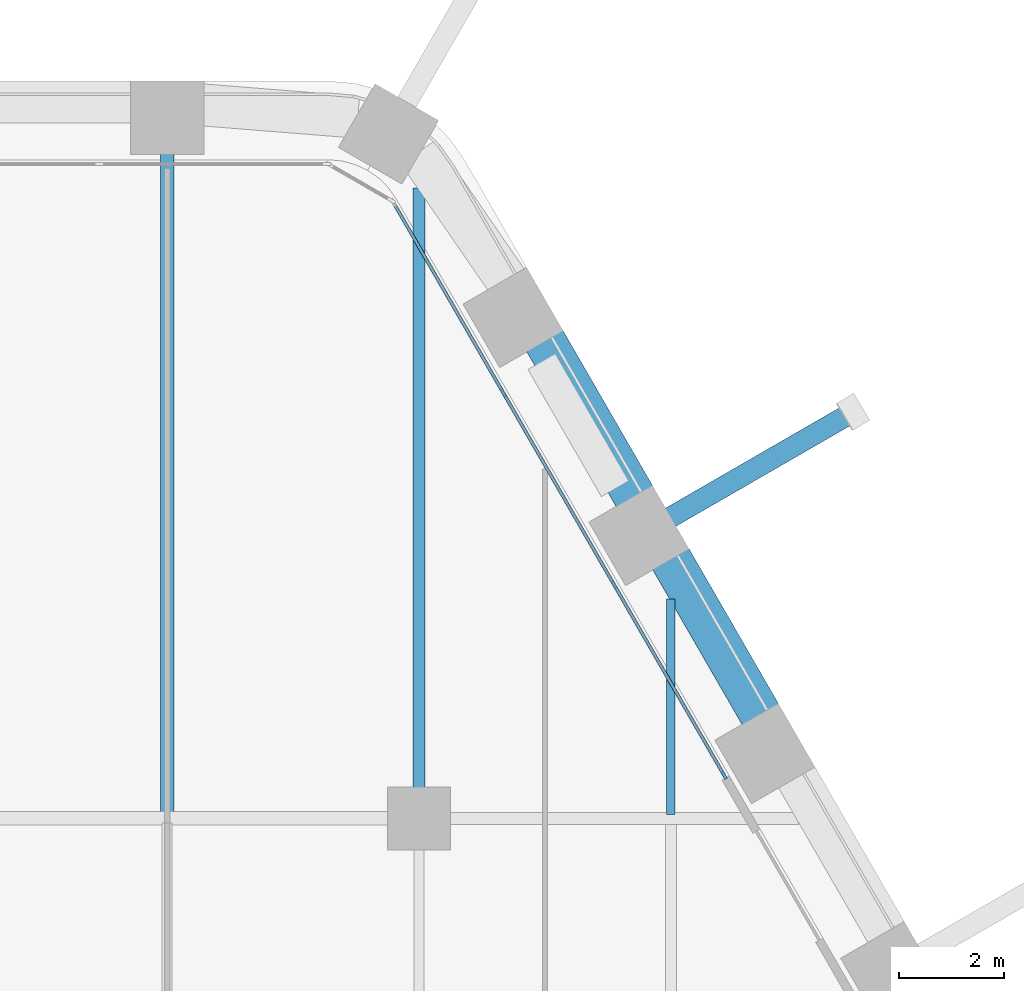
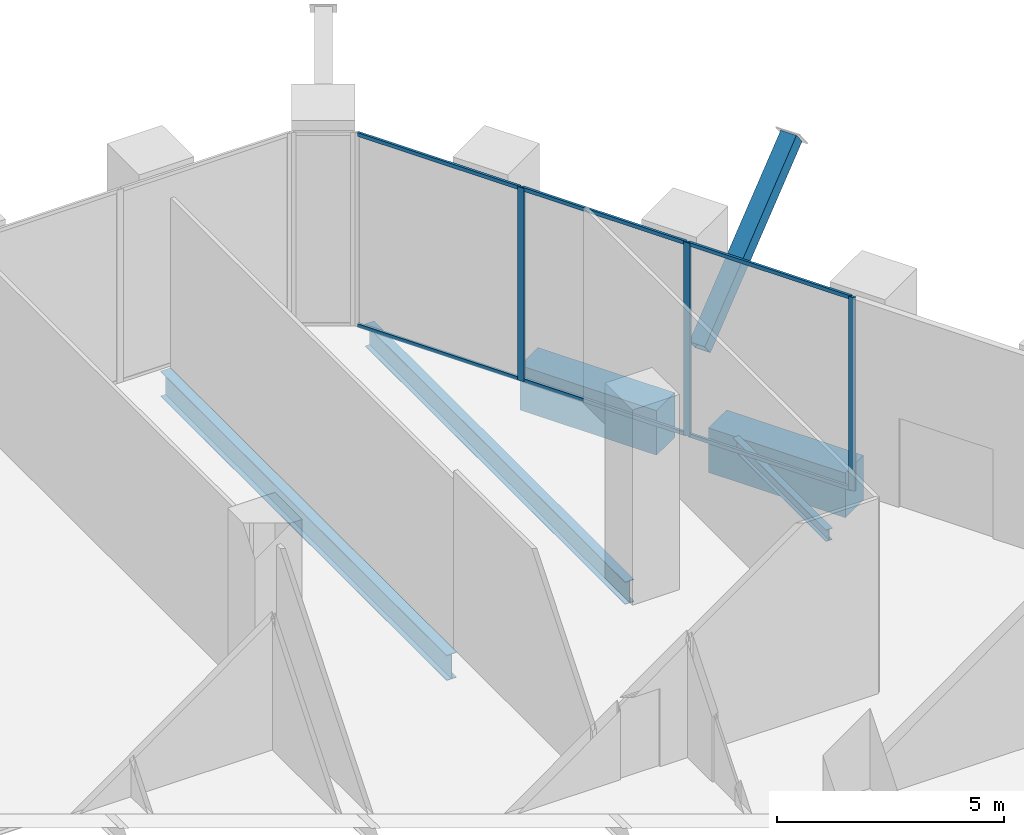
# One storey, part 10 of 29: 10 members, 5 beams, 1 element without a shape of its own.
"""IFC4 building model written with IfcOpenShell, lengths in metres."""

import ifcopenshell
import ifcopenshell.guid

model = None  # the IFC model being written
_history = None  # IfcOwnerHistory: only IFC2X3 demands one
_inside = {}  # id of a spatial element -> (the spatial element, [elements in it])
_under = {}  # id of a project, library or spatial element -> (it, [spatial elements below it])
_declared = {}  # id of a project -> (the project, [libraries it declares])
_typed = {}  # id of a type object -> (the type object, [elements of that type])
_made_of = {}  # id of a material, layer set ... -> (it, [elements and type objects made of it])


def new_model(schema):
    """Start an empty IFC model of exactly this schema.

    Asked for "IFC4X3", IfcOpenShell would pick the latest addendum, in which some entities
    have other attributes; the version numbers below select the first issue.
    IFC2X3 requires an IfcOwnerHistory on every rooted entity: one is made here for all.
    """
    global model, _history
    if schema == "IFC4X3":
        model = ifcopenshell.file(schema_version=(4, 3, 0, 0))
    else:
        model = ifcopenshell.file(schema=schema)
    _inside.clear()
    _under.clear()
    _declared.clear()
    _typed.clear()
    _made_of.clear()
    _history = None
    if model.schema == "IFC2X3":
        org = make("IfcOrganization", Name="unknown")
        user = make(
            "IfcPersonAndOrganization",
            ThePerson=make("IfcPerson", FamilyName="unknown"),
            TheOrganization=org,
        )
        app = make(
            "IfcApplication",
            ApplicationDeveloper=org,
            Version="unknown",
            ApplicationFullName="unknown",
            ApplicationIdentifier="unknown",
        )
        _history = make(
            "IfcOwnerHistory",
            OwningUser=user,
            OwningApplication=app,
            ChangeAction="ADDED",
            CreationDate=0,
        )
    return model


def make(cls, **values):
    """One entity of the class cls with the attributes given. An attribute that is None is left unset."""
    return model.create_entity(
        cls, **{name: value for name, value in values.items() if value is not None}
    )


def rooted(cls, **values):
    """An entity with a GlobalId (a new one), such as an element, a storey or a relation."""
    return make(cls, GlobalId=ifcopenshell.guid.new(), OwnerHistory=_history, **values)


def si_unit(unit_type, name, prefix=None):
    """IfcSIUnit, for example si_unit("LENGTHUNIT", "METRE", prefix="MILLI")."""
    return make("IfcSIUnit", UnitType=unit_type, Prefix=prefix, Name=name)


def assignment(units):
    """IfcUnitAssignment: the units of a project."""
    return None if units is None else make("IfcUnitAssignment", Units=units)


def point(xyz):
    """IfcCartesianPoint."""
    return None if xyz is None else make("IfcCartesianPoint", Coordinates=xyz)


def direction(xyz):
    """IfcDirection."""
    return None if xyz is None else make("IfcDirection", DirectionRatios=xyz)


def frame(location, z_axis=None, x_axis=None):
    """IfcAxis2Placement3D, a coordinate frame: its origin and axes. An axis left out is left unset."""
    return make(
        "IfcAxis2Placement3D",
        Location=point(location),
        Axis=direction(z_axis),
        RefDirection=direction(x_axis),
    )


def frame_2d(location, x_axis=None):
    """IfcAxis2Placement2D, a coordinate frame in the plane: its origin and x axis."""
    return make(
        "IfcAxis2Placement2D", Location=point(location), RefDirection=direction(x_axis)
    )


def origin():
    """The frame at (0, 0, 0) with its axes left unset."""
    return frame((0.0, 0.0, 0.0))


def origin_2d():
    """The frame at (0, 0) in the plane with its x axis left unset."""
    return frame_2d((0.0, 0.0))


def place(relative_to, where):
    """IfcLocalPlacement: puts the frame where relative to a parent placement (None: the world)."""
    return make(
        "IfcLocalPlacement", PlacementRelTo=relative_to, RelativePlacement=where
    )


def context(
    kind, dimensions, precision=None, world=None, true_north=None, identifier=None
):
    """IfcGeometricRepresentationContext, for example the 3D "Model" context."""
    return make(
        "IfcGeometricRepresentationContext",
        ContextIdentifier=identifier,
        ContextType=kind,
        CoordinateSpaceDimension=dimensions,
        Precision=precision,
        WorldCoordinateSystem=world,
        TrueNorth=true_north,
    )


def subcontext(parent, identifier, kind, view, scale=None):
    """IfcGeometricRepresentationSubContext, for example "Body" below "Model"."""
    return make(
        "IfcGeometricRepresentationSubContext",
        ContextIdentifier=identifier,
        ContextType=kind,
        ParentContext=parent,
        TargetScale=scale,
        TargetView=view,
    )


def project(units=None, contexts=None):
    """IfcProject with its units and contexts."""
    return rooted(
        "IfcProject",
        Name="project",
        RepresentationContexts=contexts,
        UnitsInContext=assignment(units),
    )


def spatial(cls, under=None, at=None, **own):
    """A site, building, storey or space (cls), placed at a placement, below another one or the project."""
    s = rooted(cls, ObjectPlacement=at, **own)
    if under is not None:
        _under.setdefault(under.id(), (under, []))[1].append(s)
    return s


def profile(cls, at=None, kind="AREA", **sizes):
    """A parametric profile (cls). Its sizes go by their IFC names, for example OverallWidth=200.0."""
    return make(cls, ProfileType=kind, Position=at, **sizes)


def rectangle(**sizes):
    """IfcRectangleProfileDef."""
    return profile("IfcRectangleProfileDef", **sizes)


def hollow_rectangle(**sizes):
    """IfcRectangleHollowProfileDef."""
    return profile("IfcRectangleHollowProfileDef", **sizes)


def i_section(**sizes):
    """IfcIShapeProfileDef."""
    return profile("IfcIShapeProfileDef", **sizes)


def extrude(swept, where, along, depth):
    """IfcExtrudedAreaSolid: the profile swept, set in the frame where, extruded along a direction by depth."""
    return make(
        "IfcExtrudedAreaSolid",
        SweptArea=swept,
        Position=where,
        ExtrudedDirection=direction(along),
        Depth=depth,
    )


def shape(context_of_items, identifier, shape_type, items):
    """IfcShapeRepresentation: the items that make up one representation, for example the "Body"."""
    return make(
        "IfcShapeRepresentation",
        ContextOfItems=context_of_items,
        RepresentationIdentifier=identifier,
        RepresentationType=shape_type,
        Items=items,
    )


def material(Name=None, Category=None):
    """IfcMaterial."""
    return make("IfcMaterial", Name=Name, Category=Category)


def material_profile(
    of_material, cross_section, Name=None, Category=None, Priority=None
):
    """IfcMaterialProfile: a cross section and its material."""
    return make(
        "IfcMaterialProfile",
        Name=Name,
        Material=of_material,
        Profile=cross_section,
        Priority=Priority,
        Category=Category,
    )


def profile_set(profiles, Name=None, composite=None):
    """IfcMaterialProfileSet."""
    return make(
        "IfcMaterialProfileSet",
        Name=Name,
        MaterialProfiles=profiles,
        CompositeProfile=composite,
    )


def made_of(thing, what):
    """Note that an element or type object is made of a material, layer set ...; save() writes the relation."""
    if what is not None:
        _made_of.setdefault(what.id(), (what, []))[1].append(thing)
    return thing


def type_object(cls, material=None, **own):
    """A type object (cls), such as IfcWallType, which elements share."""
    return made_of(rooted(cls, **own), material)


def element(
    cls,
    number,
    at=None,
    inside=None,
    cuts=None,
    type_object=None,
    material=None,
    context=None,
    identifier="Body",
    shape_type=None,
    held_by="IfcProductDefinitionShape",
    body=None,
    shapes=None,
    **own,
):
    """One element of the class cls, such as IfcWall. Its Tag is "e" and its number.

    at: its placement. inside: the storey or other place that contains it. cuts: it is an
    opening in that element (IfcRelVoidsElement). A single representation is given by context,
    identifier, shape_type and body (its items); several are given by shapes. held_by: the class
    of the entity that holds the representations. save() writes the other relations.
    """
    e = rooted(cls, Tag="e%d" % number, ObjectPlacement=at, **own)
    if body is not None:
        shapes = [shape(context, identifier, shape_type, body)]
    if shapes is not None:
        e.Representation = make(held_by, Representations=shapes)
    if inside is not None:
        _inside.setdefault(inside.id(), (inside, []))[1].append(e)
    if cuts is not None:
        rooted(
            "IfcRelVoidsElement", RelatingBuildingElement=cuts, RelatedOpeningElement=e
        )
    if type_object is not None:
        _typed.setdefault(type_object.id(), (type_object, []))[1].append(e)
    return made_of(e, material)


def aggregate(whole, parts):
    """IfcRelAggregates: a whole, such as a stair, and the parts it consists of."""
    return rooted("IfcRelAggregates", RelatingObject=whole, RelatedObjects=parts)


def save(model, path):
    """Write the relations noted so far, then the file.

    IfcRelAggregates (storeys below a building ...), IfcRelContainedInSpatialStructure (elements
    in a storey), IfcRelDefinesByType, IfcRelAssociatesMaterial and IfcRelDeclares: one each for
    every whole, place, type object, material and project.
    """
    for whole, parts in _under.values():
        aggregate(whole, parts)
    for where, things in _inside.values():
        rooted(
            "IfcRelContainedInSpatialStructure",
            RelatedElements=things,
            RelatingStructure=where,
        )
    for kind, things in _typed.values():
        rooted("IfcRelDefinesByType", RelatedObjects=things, RelatingType=kind)
    for what, things in _made_of.values():
        rooted("IfcRelAssociatesMaterial", RelatedObjects=things, RelatingMaterial=what)
    for by, libraries in _declared.values():
        rooted("IfcRelDeclares", RelatingContext=by, RelatedDefinitions=libraries)
    model.write(path)


model = new_model("IFC4")

# Units and contexts
model_context = context("Model", 3, precision=1e-05, world=origin(), true_north=direction((0.0, 1.0)))
body_context = subcontext(model_context, "Body", "Model", "MODEL_VIEW")
ifc_project = project(units=[si_unit("LENGTHUNIT", "METRE"), si_unit("AREAUNIT", "SQUARE_METRE"), si_unit("VOLUMEUNIT", "CUBIC_METRE"), si_unit("PLANEANGLEUNIT", "RADIAN"), si_unit("MASSUNIT", "GRAM", prefix="KILO")], contexts=[model_context])

# Site, building, storey
site_placement = place(None, origin())
site = spatial("IfcSite", under=ifc_project, at=site_placement, CompositionType="ELEMENT")
building_placement = place(site_placement, origin())
building = spatial("IfcBuilding", under=site, at=building_placement, Name="Kolab Exchange Tower", CompositionType="ELEMENT")
storey_placement = place(building_placement, frame((0.0, 0.0, 33.39990234375)))
storey = spatial("IfcBuildingStorey", under=building, at=storey_placement, Name="L06", CompositionType="ELEMENT", Elevation=33.39990234375)

# Beams
ifc_material_1 = material(Name="Steel S355", Category="steel")
ifc_material_profile_1 = material_profile(ifc_material_1, i_section(OverallWidth=0.1650390625, OverallDepth=0.31005859375, WebThickness=0.005859375, FlangeThickness=0.009765625, at=origin_2d()), Name="W310X39")
ifc_profile_set_1 = profile_set([ifc_material_profile_1], Name="Steel S355")
beam_type_1 = type_object("IfcBeamType", Name="FLOOR BEAM W310X39", PredefinedType="BEAM", material=ifc_profile_set_1)
beam_1_placement = place(storey_placement, frame((24.0, 19.27392578125, -0.40478515625), z_axis=(0.0, 1.0, 0.0), x_axis=(-1.0, 0.0, 0.0)))
element("IfcBeam", 1, at=beam_1_placement, inside=storey, type_object=beam_type_1, Name="beam/L06/fr/057", PredefinedType="BEAM", context=body_context, shape_type="SweptSolid", body=[
    extrude(i_section(OverallWidth=0.1650390625, OverallDepth=0.31005859375, WebThickness=0.005859375, FlangeThickness=0.009765625, at=origin_2d()), origin(), (0.0, 0.0, 1.0), 4.107666015625),
])
ifc_material_profile_2 = material_profile(ifc_material_1, i_section(OverallWidth=0.22802734375, OverallDepth=0.60791015625, WebThickness=0.01123046875, FlangeThickness=0.017333984375, at=origin_2d()), Name="W610X113")
ifc_profile_set_2 = profile_set([ifc_material_profile_2], Name="Steel S355")
beam_type_2 = type_object("IfcBeamType", Name="FLOOR BEAM W610X113", PredefinedType="BEAM", material=ifc_profile_set_2)
beam_2_placement = place(storey_placement, frame((19.199951171875, 19.760009765625, -0.553955078125), z_axis=(0.0, 1.0, 0.0), x_axis=(-1.0, 0.0, 0.0)))
element("IfcBeam", 2, at=beam_2_placement, inside=storey, type_object=beam_type_2, Name="beam/L06/fr/051", PredefinedType="BEAM", context=body_context, shape_type="SweptSolid", body=[
    extrude(i_section(OverallWidth=0.22802734375, OverallDepth=0.60791015625, WebThickness=0.01123046875, FlangeThickness=0.017333984375, at=origin_2d()), origin(), (0.0, 0.0, 1.0), 11.45458984375),
])
ifc_material_profile_3 = material_profile(ifc_material_1, i_section(OverallWidth=0.25390625, OverallDepth=0.68408203125, WebThickness=0.012451171875, FlangeThickness=0.018798828125, at=origin_2d()), Name="W690X140")
ifc_profile_set_3 = profile_set([ifc_material_profile_3], Name="Steel S355")
beam_type_3 = type_object("IfcBeamType", Name="FLOOR BEAM W690X140", PredefinedType="BEAM", material=ifc_profile_set_3)
beam_3_placement = place(storey_placement, frame((14.39990234375, 19.287109375, -0.591796875), z_axis=(0.0, 1.0, 0.0), x_axis=(-1.0, 0.0, 0.0)))
element("IfcBeam", 3, at=beam_3_placement, inside=storey, type_object=beam_type_3, Name="beam/L06/fr/045", PredefinedType="BEAM", context=body_context, shape_type="SweptSolid", body=[
    extrude(i_section(OverallWidth=0.25390625, OverallDepth=0.68408203125, WebThickness=0.012451171875, FlangeThickness=0.018798828125, at=origin_2d()), origin(), (0.0, 0.0, 1.0), 12.6083984375),
])

# Member
ifc_material_profile_4 = material_profile(ifc_material_1, hollow_rectangle(XDim=0.39990234375, YDim=0.39990234375, WallThickness=0.02001953125, at=origin_2d()), Name="HSS400X400X20")
ifc_profile_set_4 = profile_set([ifc_material_profile_4], Name="Steel S355")
member_type_1 = type_object("IfcMemberType", Name="LEDGE STRUT HSS400X400X20", PredefinedType="STRUT", material=ifc_profile_set_4)
member_1_placement = place(storey_placement, frame((23.96533203125, 24.92138671875, 1.22802734375), z_axis=(0.675602790468, 0.39005913672, 0.625631472493), x_axis=(-0.499999695987, 0.866025579307, 0.0)))
element("IfcMember", 4, at=member_1_placement, inside=storey, type_object=member_type_1, Name="mem/L06/ledge/strut-5", PredefinedType="STRUT", context=body_context, shape_type="SweptSolid", body=[
    extrude(hollow_rectangle(XDim=0.39990234375, YDim=0.39990234375, WallThickness=0.02001953125, at=origin_2d()), origin(), (0.0, 0.0, 1.0), 5.1787109375),
])

# Beams
ifc_material_2 = material(Name="Concrete C80/95", Category="concrete")
ifc_material_profile_5 = material_profile(ifc_material_2, rectangle(XDim=0.800048828125, YDim=1.199951171875, at=origin_2d()), Name="RC800X1200")
ifc_profile_set_5 = profile_set([ifc_material_profile_5], Name="Concrete C80/95")
beam_type_4 = type_object("IfcBeamType", Name="SPANDREL BEAM 800X1200 C80/95", PredefinedType="BEAM", material=ifc_profile_set_5)
beam_4_placement = place(storey_placement, frame((21.58349609375, 28.326904296875, -0.849853515625), z_axis=(0.499979528911, -0.866037222451, 0.0), x_axis=(0.866037222451, 0.499979528911, 0.0)))
element("IfcBeam", 5, at=beam_4_placement, inside=storey, type_object=beam_type_4, Name="beam/L06/sp/F2-02", PredefinedType="BEAM", context=body_context, shape_type="SweptSolid", body=[
    extrude(rectangle(XDim=0.800048828125, YDim=1.199951171875, at=origin_2d()), origin(), (0.0, 0.0, 1.0), 3.480224609375),
])
beam_5_placement = place(storey_placement, frame((23.983642578125, 24.169921875, -0.849853515625), z_axis=(0.500009906705, -0.86601968407, 0.0), x_axis=(0.86601968407, 0.500009906705, 0.0)))
element("IfcBeam", 6, at=beam_5_placement, inside=storey, type_object=beam_type_4, Name="beam/L06/sp/F2-03", PredefinedType="BEAM", context=body_context, shape_type="SweptSolid", body=[
    extrude(rectangle(XDim=0.800048828125, YDim=1.199951171875, at=origin_2d()), origin(), (0.0, 0.0, 1.0), 3.47998046875),
])

# Curtain wall, members
ifc_material_3 = material(Name="Aluminium EN AW-6063 T6", Category="aluminium")
curtain_wall_type = type_object("IfcCurtainWallType", Name="UNITISED LOW ZONE CURTAIN WALL", PredefinedType="NOTDEFINED", material=ifc_material_3)
curtain_wall_placement = place(storey_placement, origin())
curtain_wall = element("IfcCurtainWall", 7, at=curtain_wall_placement, inside=storey, type_object=curtain_wall_type, Name="cw/L06/F2-1", PredefinedType="NOTDEFINED")
ifc_material_profile_6 = material_profile(ifc_material_3, rectangle(XDim=0.06005859375, YDim=0.159912109375, at=origin_2d()), Name="RECT 60X160")
ifc_profile_set_6 = profile_set([ifc_material_profile_6], Name="Aluminium EN AW-6063 T6")
member_type_2 = type_object("IfcMemberType", Name="UNITISED LOW ZONE MULLION 60 X 160", PredefinedType="MULLION", material=ifc_profile_set_6)
member_2_placement = place(storey_placement, frame((20.80908203125, 27.308349609375, 0.0), z_axis=(0.0, 0.0, 1.0), x_axis=(0.866025393644, 0.500000017564, 0.0)))
member_2 = element("IfcMember", 8, at=member_2_placement, type_object=member_type_2, Name="CW1 mullion 2", PredefinedType="MULLION", context=body_context, shape_type="SweptSolid", body=[
    extrude(rectangle(XDim=0.06005859375, YDim=0.159912109375, at=origin_2d()), origin(), (0.0, 0.0, 1.0), 5.2001953125),
])
member_3_placement = place(storey_placement, frame((22.92041015625, 23.651611328125, 0.0), z_axis=(0.0, 0.0, 1.0), x_axis=(0.866025393644, 0.500000017564, 0.0)))
member_3 = element("IfcMember", 9, at=member_3_placement, type_object=member_type_2, Name="CW1 mullion 3", PredefinedType="MULLION", context=body_context, shape_type="SweptSolid", body=[
    extrude(rectangle(XDim=0.06005859375, YDim=0.159912109375, at=origin_2d()), origin(), (0.0, 0.0, 1.0), 5.2001953125),
])
member_4_placement = place(storey_placement, frame((25.0166015625, 20.0205078125, 0.0), z_axis=(0.0, 0.0, 1.0), x_axis=(0.866025393644, 0.500000017564, 0.0)))
member_4 = element("IfcMember", 10, at=member_4_placement, type_object=member_type_2, Name="CW1 mullion 4", PredefinedType="MULLION", context=body_context, shape_type="SweptSolid", body=[
    extrude(rectangle(XDim=0.06005859375, YDim=0.159912109375, at=origin_2d()), origin(), (0.0, 0.0, 1.0), 5.2001953125),
])
ifc_material_profile_7 = material_profile(ifc_material_3, rectangle(XDim=0.06005859375, YDim=0.10009765625, at=origin_2d()), Name="RECT 60X100")
ifc_profile_set_7 = profile_set([ifc_material_profile_7], Name="Aluminium EN AW-6063 T6")
member_type_3 = type_object("IfcMemberType", Name="UNITISED LOW ZONE TRANSOM 60 X 100", PredefinedType="USERDEFINED", material=ifc_profile_set_7)
member_5_placement = place(storey_placement, frame((18.727783203125, 30.913330078125, 0.030029296875), z_axis=(0.499983268986, -0.866035063224, 0.0), x_axis=(0.866035063224, 0.499983268986, 0.0)))
member_5 = element("IfcMember", 11, at=member_5_placement, type_object=member_type_3, Name="CW1 transom 1.1", ObjectType="TRANSOM", PredefinedType="USERDEFINED", context=body_context, shape_type="SweptSolid", body=[
    extrude(rectangle(XDim=0.06005859375, YDim=0.10009765625, at=origin_2d()), origin(), (0.0, 0.0, 1.0), 4.132568359375),
])
member_6_placement = place(storey_placement, frame((18.727783203125, 30.913330078125, 5.170166015625), z_axis=(0.499983268986, -0.866035063224, 0.0), x_axis=(0.866035063224, 0.499983268986, 0.0)))
member_6 = element("IfcMember", 12, at=member_6_placement, type_object=member_type_3, Name="CW1 transom 1.2", ObjectType="TRANSOM", PredefinedType="USERDEFINED", context=body_context, shape_type="SweptSolid", body=[
    extrude(rectangle(XDim=0.06005859375, YDim=0.10009765625, at=origin_2d()), origin(), (0.0, 0.0, 1.0), 4.132568359375),
])
member_7_placement = place(storey_placement, frame((20.823974609375, 27.282470703125, 0.030029296875), z_axis=(0.49999322259, -0.866029316688, 0.0), x_axis=(0.866029316688, 0.49999322259, 0.0)))
member_7 = element("IfcMember", 13, at=member_7_placement, type_object=member_type_3, Name="CW1 transom 2.1", ObjectType="TRANSOM", PredefinedType="USERDEFINED", context=body_context, shape_type="SweptSolid", body=[
    extrude(rectangle(XDim=0.06005859375, YDim=0.10009765625, at=origin_2d()), origin(), (0.0, 0.0, 1.0), 4.16259765625),
])
member_8_placement = place(storey_placement, frame((20.823974609375, 27.282470703125, 5.170166015625), z_axis=(0.49999322259, -0.866029316688, 0.0), x_axis=(0.866029316688, 0.49999322259, 0.0)))
member_8 = element("IfcMember", 14, at=member_8_placement, type_object=member_type_3, Name="CW1 transom 2.2", ObjectType="TRANSOM", PredefinedType="USERDEFINED", context=body_context, shape_type="SweptSolid", body=[
    extrude(rectangle(XDim=0.06005859375, YDim=0.10009765625, at=origin_2d()), origin(), (0.0, 0.0, 1.0), 4.16259765625),
])
member_9_placement = place(storey_placement, frame((22.935302734375, 23.62548828125, 0.030029296875), z_axis=(0.500027577057, -0.866009481578, 0.0), x_axis=(0.866009481578, 0.500027577057, 0.0)))
member_9 = element("IfcMember", 15, at=member_9_placement, type_object=member_type_3, Name="CW1 transom 3.1", ObjectType="TRANSOM", PredefinedType="USERDEFINED", context=body_context, shape_type="SweptSolid", body=[
    extrude(rectangle(XDim=0.06005859375, YDim=0.10009765625, at=origin_2d()), origin(), (0.0, 0.0, 1.0), 4.132568359375),
])
member_10_placement = place(storey_placement, frame((22.935302734375, 23.62548828125, 5.170166015625), z_axis=(0.500027577057, -0.866009481578, 0.0), x_axis=(0.866009481578, 0.500027577057, 0.0)))
member_10 = element("IfcMember", 16, at=member_10_placement, type_object=member_type_3, Name="CW1 transom 3.2", ObjectType="TRANSOM", PredefinedType="USERDEFINED", context=body_context, shape_type="SweptSolid", body=[
    extrude(rectangle(XDim=0.06005859375, YDim=0.10009765625, at=origin_2d()), origin(), (0.0, 0.0, 1.0), 4.132568359375),
])
aggregate(curtain_wall, [member_2, member_3, member_4, member_5, member_6, member_7, member_8, member_9, member_10])

save(model, "model.ifc")
